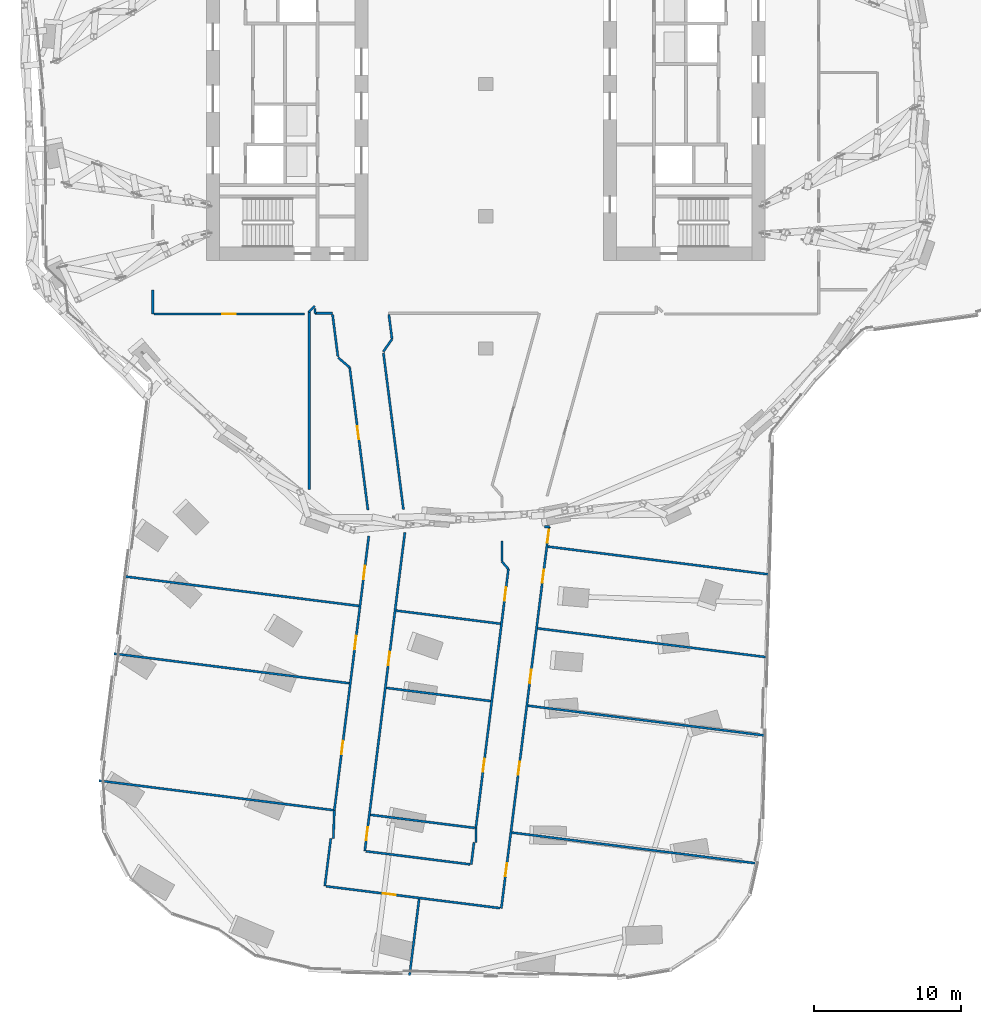
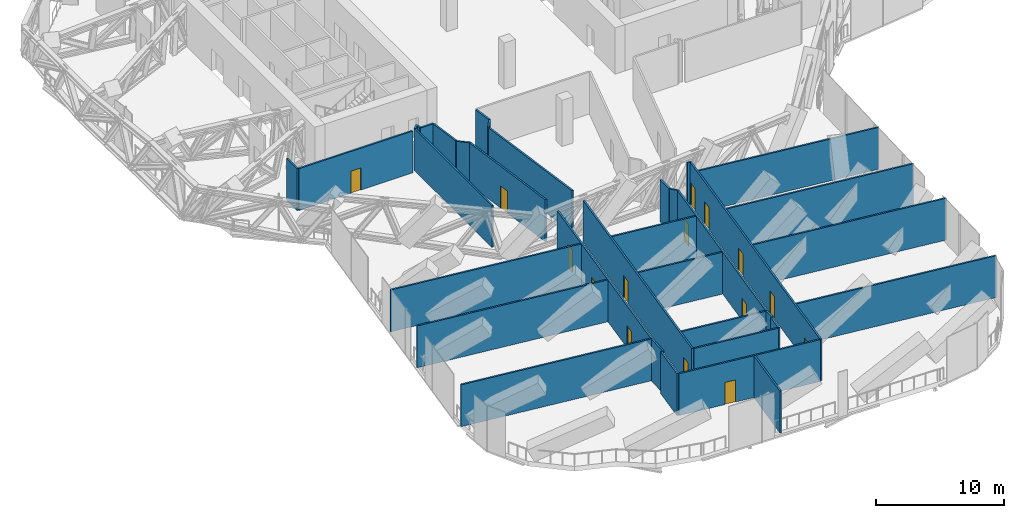
# One storey, part 18 of 27: 36 walls, 15 doors, 15 openings.
"""IFC4 building model written with IfcOpenShell, lengths in metres."""

import ifcopenshell
import ifcopenshell.guid

model = None  # the IFC model being written
_history = None  # IfcOwnerHistory: only IFC2X3 demands one
_inside = {}  # id of a spatial element -> (the spatial element, [elements in it])
_under = {}  # id of a project, library or spatial element -> (it, [spatial elements below it])
_declared = {}  # id of a project -> (the project, [libraries it declares])
_typed = {}  # id of a type object -> (the type object, [elements of that type])
_made_of = {}  # id of a material, layer set ... -> (it, [elements and type objects made of it])


def new_model(schema):
    """Start an empty IFC model of exactly this schema.

    Asked for "IFC4X3", IfcOpenShell would pick the latest addendum, in which some entities
    have other attributes; the version numbers below select the first issue.
    IFC2X3 requires an IfcOwnerHistory on every rooted entity: one is made here for all.
    """
    global model, _history
    if schema == "IFC4X3":
        model = ifcopenshell.file(schema_version=(4, 3, 0, 0))
    else:
        model = ifcopenshell.file(schema=schema)
    _inside.clear()
    _under.clear()
    _declared.clear()
    _typed.clear()
    _made_of.clear()
    _history = None
    if model.schema == "IFC2X3":
        org = make("IfcOrganization", Name="unknown")
        user = make(
            "IfcPersonAndOrganization",
            ThePerson=make("IfcPerson", FamilyName="unknown"),
            TheOrganization=org,
        )
        app = make(
            "IfcApplication",
            ApplicationDeveloper=org,
            Version="unknown",
            ApplicationFullName="unknown",
            ApplicationIdentifier="unknown",
        )
        _history = make(
            "IfcOwnerHistory",
            OwningUser=user,
            OwningApplication=app,
            ChangeAction="ADDED",
            CreationDate=0,
        )
    return model


def make(cls, **values):
    """One entity of the class cls with the attributes given. An attribute that is None is left unset."""
    return model.create_entity(
        cls, **{name: value for name, value in values.items() if value is not None}
    )


def rooted(cls, **values):
    """An entity with a GlobalId (a new one), such as an element, a storey or a relation."""
    return make(cls, GlobalId=ifcopenshell.guid.new(), OwnerHistory=_history, **values)


def si_unit(unit_type, name, prefix=None):
    """IfcSIUnit, for example si_unit("LENGTHUNIT", "METRE", prefix="MILLI")."""
    return make("IfcSIUnit", UnitType=unit_type, Prefix=prefix, Name=name)


def assignment(units):
    """IfcUnitAssignment: the units of a project."""
    return None if units is None else make("IfcUnitAssignment", Units=units)


def point(xyz):
    """IfcCartesianPoint."""
    return None if xyz is None else make("IfcCartesianPoint", Coordinates=xyz)


def direction(xyz):
    """IfcDirection."""
    return None if xyz is None else make("IfcDirection", DirectionRatios=xyz)


def frame(location, z_axis=None, x_axis=None):
    """IfcAxis2Placement3D, a coordinate frame: its origin and axes. An axis left out is left unset."""
    return make(
        "IfcAxis2Placement3D",
        Location=point(location),
        Axis=direction(z_axis),
        RefDirection=direction(x_axis),
    )


def frame_2d(location, x_axis=None):
    """IfcAxis2Placement2D, a coordinate frame in the plane: its origin and x axis."""
    return make(
        "IfcAxis2Placement2D", Location=point(location), RefDirection=direction(x_axis)
    )


def origin():
    """The frame at (0, 0, 0) with its axes left unset."""
    return frame((0.0, 0.0, 0.0))


def place(relative_to, where):
    """IfcLocalPlacement: puts the frame where relative to a parent placement (None: the world)."""
    return make(
        "IfcLocalPlacement", PlacementRelTo=relative_to, RelativePlacement=where
    )


def context(
    kind, dimensions, precision=None, world=None, true_north=None, identifier=None
):
    """IfcGeometricRepresentationContext, for example the 3D "Model" context."""
    return make(
        "IfcGeometricRepresentationContext",
        ContextIdentifier=identifier,
        ContextType=kind,
        CoordinateSpaceDimension=dimensions,
        Precision=precision,
        WorldCoordinateSystem=world,
        TrueNorth=true_north,
    )


def subcontext(parent, identifier, kind, view, scale=None):
    """IfcGeometricRepresentationSubContext, for example "Body" below "Model"."""
    return make(
        "IfcGeometricRepresentationSubContext",
        ContextIdentifier=identifier,
        ContextType=kind,
        ParentContext=parent,
        TargetScale=scale,
        TargetView=view,
    )


def project(units=None, contexts=None):
    """IfcProject with its units and contexts."""
    return rooted(
        "IfcProject",
        Name="project",
        RepresentationContexts=contexts,
        UnitsInContext=assignment(units),
    )


def spatial(cls, under=None, at=None, **own):
    """A site, building, storey or space (cls), placed at a placement, below another one or the project."""
    s = rooted(cls, ObjectPlacement=at, **own)
    if under is not None:
        _under.setdefault(under.id(), (under, []))[1].append(s)
    return s


def profile(cls, at=None, kind="AREA", **sizes):
    """A parametric profile (cls). Its sizes go by their IFC names, for example OverallWidth=200.0."""
    return make(cls, ProfileType=kind, Position=at, **sizes)


def rectangle(**sizes):
    """IfcRectangleProfileDef."""
    return profile("IfcRectangleProfileDef", **sizes)


def extrude(swept, where, along, depth):
    """IfcExtrudedAreaSolid: the profile swept, set in the frame where, extruded along a direction by depth."""
    return make(
        "IfcExtrudedAreaSolid",
        SweptArea=swept,
        Position=where,
        ExtrudedDirection=direction(along),
        Depth=depth,
    )


def shape(context_of_items, identifier, shape_type, items):
    """IfcShapeRepresentation: the items that make up one representation, for example the "Body"."""
    return make(
        "IfcShapeRepresentation",
        ContextOfItems=context_of_items,
        RepresentationIdentifier=identifier,
        RepresentationType=shape_type,
        Items=items,
    )


def material(Name=None, Category=None):
    """IfcMaterial."""
    return make("IfcMaterial", Name=Name, Category=Category)


def layer(
    of_material, thickness, ventilated=None, Name=None, Category=None, Priority=None
):
    """IfcMaterialLayer: one layer of a wall or slab, of a material (None: an air gap)."""
    return make(
        "IfcMaterialLayer",
        Material=of_material,
        LayerThickness=thickness,
        IsVentilated=ventilated,
        Name=Name,
        Category=Category,
        Priority=Priority,
    )


def layer_set(layers, Name=None):
    """IfcMaterialLayerSet."""
    return make("IfcMaterialLayerSet", MaterialLayers=layers, LayerSetName=Name)


def made_of(thing, what):
    """Note that an element or type object is made of a material, layer set ...; save() writes the relation."""
    if what is not None:
        _made_of.setdefault(what.id(), (what, []))[1].append(thing)
    return thing


def type_object(cls, material=None, **own):
    """A type object (cls), such as IfcWallType, which elements share."""
    return made_of(rooted(cls, **own), material)


def element(
    cls,
    number,
    at=None,
    inside=None,
    cuts=None,
    type_object=None,
    material=None,
    context=None,
    identifier="Body",
    shape_type=None,
    held_by="IfcProductDefinitionShape",
    body=None,
    shapes=None,
    **own,
):
    """One element of the class cls, such as IfcWall. Its Tag is "e" and its number.

    at: its placement. inside: the storey or other place that contains it. cuts: it is an
    opening in that element (IfcRelVoidsElement). A single representation is given by context,
    identifier, shape_type and body (its items); several are given by shapes. held_by: the class
    of the entity that holds the representations. save() writes the other relations.
    """
    e = rooted(cls, Tag="e%d" % number, ObjectPlacement=at, **own)
    if body is not None:
        shapes = [shape(context, identifier, shape_type, body)]
    if shapes is not None:
        e.Representation = make(held_by, Representations=shapes)
    if inside is not None:
        _inside.setdefault(inside.id(), (inside, []))[1].append(e)
    if cuts is not None:
        rooted(
            "IfcRelVoidsElement", RelatingBuildingElement=cuts, RelatedOpeningElement=e
        )
    if type_object is not None:
        _typed.setdefault(type_object.id(), (type_object, []))[1].append(e)
    return made_of(e, material)


def fill(opening, filler):
    """IfcRelFillsElement: the door or window that sits in an opening."""
    return rooted(
        "IfcRelFillsElement",
        RelatingOpeningElement=opening,
        RelatedBuildingElement=filler,
    )


def aggregate(whole, parts):
    """IfcRelAggregates: a whole, such as a stair, and the parts it consists of."""
    return rooted("IfcRelAggregates", RelatingObject=whole, RelatedObjects=parts)


def save(model, path):
    """Write the relations noted so far, then the file.

    IfcRelAggregates (storeys below a building ...), IfcRelContainedInSpatialStructure (elements
    in a storey), IfcRelDefinesByType, IfcRelAssociatesMaterial and IfcRelDeclares: one each for
    every whole, place, type object, material and project.
    """
    for whole, parts in _under.values():
        aggregate(whole, parts)
    for where, things in _inside.values():
        rooted(
            "IfcRelContainedInSpatialStructure",
            RelatedElements=things,
            RelatingStructure=where,
        )
    for kind, things in _typed.values():
        rooted("IfcRelDefinesByType", RelatedObjects=things, RelatingType=kind)
    for what, things in _made_of.values():
        rooted("IfcRelAssociatesMaterial", RelatedObjects=things, RelatingMaterial=what)
    for by, libraries in _declared.values():
        rooted("IfcRelDeclares", RelatingContext=by, RelatedDefinitions=libraries)
    model.write(path)


model = new_model("IFC4")

# Units and contexts
model_context = context("Model", 3, precision=1e-05, world=origin(), true_north=direction((0.0, 1.0)))
body_context = subcontext(model_context, "Body", "Model", "MODEL_VIEW")
ifc_project = project(units=[si_unit("LENGTHUNIT", "METRE"), si_unit("AREAUNIT", "SQUARE_METRE"), si_unit("VOLUMEUNIT", "CUBIC_METRE"), si_unit("PLANEANGLEUNIT", "RADIAN"), si_unit("MASSUNIT", "GRAM", prefix="KILO")], contexts=[model_context])

# Site, building, storey
site_placement = place(None, origin())
site = spatial("IfcSite", under=ifc_project, at=site_placement, CompositionType="ELEMENT")
building_placement = place(site_placement, origin())
building = spatial("IfcBuilding", under=site, at=building_placement, Name="Orlundy Tower", CompositionType="ELEMENT")
storey_placement = place(building_placement, frame((0.0, 0.0, 206.10009765625)))
storey = spatial("IfcBuildingStorey", under=building, at=storey_placement, Name="L54", CompositionType="ELEMENT", Elevation=206.10009765625)

# Walls
ifc_material_1 = material(Name="Blockwork shaft wall", Category="masonry")
ifc_layer = layer(ifc_material_1, 0.14990234375)
ifc_layer_set = layer_set([ifc_layer], Name="Floor shaft wall 150")
wall_type = type_object("IfcWallType", Name="Floor shaft wall 150", PredefinedType="PARTITIONING", material=ifc_layer_set)
wall_1_placement = place(storey_placement, frame((-11.60107421875, -15.27294921875, 0.0), z_axis=(0.0, 0.0, 1.0), x_axis=(0.002985061327, -0.999995544695, 0.0)))
element("IfcWall", 1, at=wall_1_placement, inside=storey, type_object=wall_type, Name="wall-int-L54-001", PredefinedType="PARTITIONING", context=body_context, shape_type="SweptSolid", body=[
    extrude(rectangle(XDim=0.3271484375, YDim=0.14990234375, at=frame_2d((0.16357421875, 0.0))), origin(), (0.0, 0.0, 1.0), 3.97998046875),
])
wall_2_placement = place(storey_placement, frame((-10.4169921875, -15.674072265625, 0.0), z_axis=(0.0, 0.0, 1.0), x_axis=(0.126392298822, -0.991980335893, 0.0)))
element("IfcWall", 2, at=wall_2_placement, inside=storey, type_object=wall_type, Name="wall-int-L54-002", PredefinedType="PARTITIONING", context=body_context, shape_type="SweptSolid", body=[
    extrude(rectangle(XDim=2.880126953125, YDim=0.14990234375, at=frame_2d((1.43994140625, 0.0))), origin(), (0.0, 0.0, 1.0), 3.97998046875),
])

# Wall, opening, door
wall_3_placement = place(storey_placement, frame((-8.010986328125, -28.969970703125, 0.0), z_axis=(0.0, 0.0, 1.0), x_axis=(-0.126883648169, 0.991917607378, 0.0)))
wall_3 = element("IfcWall", 3, at=wall_3_placement, inside=storey, type_object=wall_type, Name="wall-int-L54-003", PredefinedType="PARTITIONING", context=body_context, shape_type="SweptSolid", body=[
    extrude(rectangle(XDim=9.764892578125, YDim=0.14990234375, at=frame_2d((4.88232421875, 0.0))), origin(), (0.0, 0.0, 1.0), 3.97998046875),
])
opening_1_placement = place(wall_3_placement, frame((4.85009765625, 0.0, 0.0)))
opening_1 = element("IfcOpeningElement", 4, at=opening_1_placement, cuts=wall_3, Name="Opening 41114", PredefinedType="OPENING", context=body_context, shape_type="SweptSolid", body=[
    extrude(rectangle(XDim=0.89990234375, YDim=2.10009765625, at=frame_2d((0.449951171875, 1.050048828125))), frame((0.0, 0.0849609375, 0.0), z_axis=(0.0, -1.0, 0.0), x_axis=(1.0, 0.0, 0.0)), (0.0, 0.0, 1.0), 0.169921875),
])
ifc_material_2 = material(Name="Timber door leaf", Category="wood")
door_type = type_object("IfcDoorType", Name="Floor door single 900 FD60", OperationType="NOTDEFINED", PredefinedType="DOOR", material=ifc_material_2)
door_1_placement = place(opening_1_placement, origin())
door_1 = element("IfcDoor", 5, at=door_1_placement, inside=storey, type_object=door_type, Name="Door 41114", OperationType="SINGLE_SWING_RIGHT", OverallHeight=2.10009765625, OverallWidth=0.89990234375, PredefinedType="DOOR", context=body_context, shape_type="SweptSolid", body=[
    extrude(rectangle(XDim=0.89990234375, YDim=2.10009765625, at=frame_2d((0.449951171875, 1.050048828125))), frame((0.0, 0.02490234375, 0.0), z_axis=(0.0, -1.0, 0.0), x_axis=(1.0, 0.0, 0.0)), (0.0, 0.0, 1.0), 0.050048828125),
])
fill(opening_1, door_1)

# Walls
wall_4_placement = place(storey_placement, frame((-6.95703125, -18.285888671875, 0.0), z_axis=(0.0, 0.0, 1.0), x_axis=(0.126800802757, -0.991928201242, 0.0)))
element("IfcWall", 6, at=wall_4_placement, inside=storey, type_object=wall_type, Name="wall-int-L54-004", PredefinedType="PARTITIONING", context=body_context, shape_type="SweptSolid", body=[
    extrude(rectangle(XDim=10.74169921875, YDim=0.14990234375, at=frame_2d((5.370849609375, 0.0))), origin(), (0.0, 0.0, 1.0), 3.97998046875),
])
wall_5_placement = place(storey_placement, frame((-6.5859375, -15.674072265625, 0.0), z_axis=(0.0, 0.0, 1.0), x_axis=(0.126782694837, -0.991930515858, 0.0)))
element("IfcWall", 7, at=wall_5_placement, inside=storey, type_object=wall_type, Name="wall-int-L54-005", PredefinedType="PARTITIONING", context=body_context, shape_type="SweptSolid", body=[
    extrude(rectangle(XDim=1.694580078125, YDim=0.14990234375, at=frame_2d((0.84716796875, 0.0))), origin(), (0.0, 0.0, 1.0), 3.97998046875),
])

# Wall, opening, door
wall_6_placement = place(storey_placement, frame((0.989013671875, -56.06005859375, 0.0), z_axis=(0.0, 0.0, 1.0), x_axis=(-0.992206680217, 0.124602984447, 0.0)))
wall_6 = element("IfcWall", 8, at=wall_6_placement, inside=storey, type_object=wall_type, Name="wall-int-L54-009", PredefinedType="PARTITIONING", context=body_context, shape_type="SweptSolid", body=[
    extrude(rectangle(XDim=11.949951171875, YDim=0.14990234375, at=frame_2d((5.97509765625, 0.0))), origin(), (0.0, 0.0, 1.0), 3.97998046875),
])
opening_2_placement = place(wall_6_placement, frame((7.14990234375, 0.0, 0.0)))
opening_2 = element("IfcOpeningElement", 9, at=opening_2_placement, cuts=wall_6, Name="Opening 41108", PredefinedType="OPENING", context=body_context, shape_type="SweptSolid", body=[
    extrude(rectangle(XDim=0.89990234375, YDim=2.10009765625, at=frame_2d((0.449951171875, 1.050048828125))), frame((0.0, 0.0849609375, 0.0), z_axis=(0.0, -1.0, 0.0), x_axis=(1.0, 0.0, 0.0)), (0.0, 0.0, 1.0), 0.169921875),
])
door_2_placement = place(opening_2_placement, origin())
door_2 = element("IfcDoor", 10, at=door_2_placement, inside=storey, type_object=door_type, Name="Door 41108", OperationType="SINGLE_SWING_RIGHT", OverallHeight=2.10009765625, OverallWidth=0.89990234375, PredefinedType="DOOR", context=body_context, shape_type="SweptSolid", body=[
    extrude(rectangle(XDim=0.89990234375, YDim=2.10009765625, at=frame_2d((0.449951171875, 1.050048828125))), frame((0.0, 0.02490234375, 0.0), z_axis=(0.0, -1.0, 0.0), x_axis=(1.0, 0.0, 0.0)), (0.0, 0.0, 1.0), 0.050048828125),
])
fill(opening_2, door_2)

# Walls
wall_7_placement = place(storey_placement, frame((-8.14990234375, -52.18994140625, 0.0), z_axis=(0.0, 0.0, 1.0), x_axis=(0.992168754775, -0.124904611796, 0.0)))
element("IfcWall", 11, at=wall_7_placement, inside=storey, type_object=wall_type, Name="wall-int-L54-010", PredefinedType="PARTITIONING", context=body_context, shape_type="SweptSolid", body=[
    extrude(rectangle(XDim=7.14990234375, YDim=0.14990234375, at=frame_2d((3.574951171875, 0.0))), origin(), (0.0, 0.0, 1.0), 3.97998046875),
])
wall_8_placement = place(storey_placement, frame((-26.31298828125, -47.386962890625, 0.0), z_axis=(0.0, 0.0, 1.0), x_axis=(0.992178228876, -0.124829332068, 0.0)))
element("IfcWall", 12, at=wall_8_placement, inside=storey, type_object=wall_type, Name="wall-int-L54-011", PredefinedType="PARTITIONING", context=body_context, shape_type="SweptSolid", body=[
    extrude(rectangle(XDim=16.07080078125, YDim=0.14990234375, at=frame_2d((8.035400390625, 0.0))), origin(), (0.0, 0.0, 1.0), 3.97998046875),
])
wall_9_placement = place(storey_placement, frame((-7.837890625, -49.7099609375, 0.0), z_axis=(0.0, 0.0, 1.0), x_axis=(0.992173014732, -0.124870768549, 0.0)))
element("IfcWall", 13, at=wall_9_placement, inside=storey, type_object=wall_type, Name="wall-int-L54-012", PredefinedType="PARTITIONING", context=body_context, shape_type="SweptSolid", body=[
    extrude(rectangle(XDim=7.15185546875, YDim=0.14990234375, at=frame_2d((3.575927734375, 0.0))), origin(), (0.0, 0.0, 1.0), 3.97998046875),
])
wall_10_placement = place(storey_placement, frame((1.787109375, -50.919921875, 0.0), z_axis=(0.0, 0.0, 1.0), x_axis=(0.992180531957, -0.12481102518, 0.0)))
element("IfcWall", 14, at=wall_10_placement, inside=storey, type_object=wall_type, Name="wall-int-L54-013", PredefinedType="PARTITIONING", context=body_context, shape_type="SweptSolid", body=[
    extrude(rectangle(XDim=16.914306640625, YDim=0.14990234375, at=frame_2d((8.45703125, 0.0))), origin(), (0.0, 0.0, 1.0), 3.97998046875),
])
wall_11_placement = place(storey_placement, frame((-25.281982421875, -38.7490234375, 0.0), z_axis=(0.0, 0.0, 1.0), x_axis=(0.99218536192, -0.124772623567, 0.0)))
element("IfcWall", 15, at=wall_11_placement, inside=storey, type_object=wall_type, Name="wall-int-L54-014", PredefinedType="PARTITIONING", context=body_context, shape_type="SweptSolid", body=[
    extrude(rectangle(XDim=16.125, YDim=0.14990234375, at=frame_2d((8.0625, 0.0))), origin(), (0.0, 0.0, 1.0), 3.97998046875),
])
wall_12_placement = place(storey_placement, frame((-6.751953125, -41.077880859375, 0.0), z_axis=(0.0, 0.0, 1.0), x_axis=(0.992168754775, -0.124904611796, 0.0)))
element("IfcWall", 16, at=wall_12_placement, inside=storey, type_object=wall_type, Name="wall-int-L54-015", PredefinedType="PARTITIONING", context=body_context, shape_type="SweptSolid", body=[
    extrude(rectangle(XDim=7.14990234375, YDim=0.14990234375, at=frame_2d((3.574951171875, 0.0))), origin(), (0.0, 0.0, 1.0), 3.97998046875),
])
wall_13_placement = place(storey_placement, frame((2.8720703125, -42.2880859375, 0.0), z_axis=(0.0, 0.0, 1.0), x_axis=(0.992188726877, -0.124745862686, 0.0)))
element("IfcWall", 17, at=wall_13_placement, inside=storey, type_object=wall_type, Name="wall-int-L54-016", PredefinedType="PARTITIONING", context=body_context, shape_type="SweptSolid", body=[
    extrude(rectangle(XDim=16.3515625, YDim=0.14990234375, at=frame_2d((8.17578125, 0.0))), origin(), (0.0, 0.0, 1.0), 3.97998046875),
])
wall_14_placement = place(storey_placement, frame((-24.6201171875, -33.489990234375, 0.0), z_axis=(0.0, 0.0, 1.0), x_axis=(0.992184418995, -0.124780121428, 0.0)))
element("IfcWall", 18, at=wall_14_placement, inside=storey, type_object=wall_type, Name="wall-int-L54-017", PredefinedType="PARTITIONING", context=body_context, shape_type="SweptSolid", body=[
    extrude(rectangle(XDim=16.1240234375, YDim=0.14990234375, at=frame_2d((8.06201171875, 0.0))), origin(), (0.0, 0.0, 1.0), 3.97998046875),
])
wall_15_placement = place(storey_placement, frame((-6.091064453125, -35.820068359375, 0.0), z_axis=(0.0, 0.0, 1.0), x_axis=(0.992189898708, -0.124736541969, 0.0)))
element("IfcWall", 19, at=wall_15_placement, inside=storey, type_object=wall_type, Name="wall-int-L54-018", PredefinedType="PARTITIONING", context=body_context, shape_type="SweptSolid", body=[
    extrude(rectangle(XDim=7.14990234375, YDim=0.14990234375, at=frame_2d((3.574951171875, 0.0))), origin(), (0.0, 0.0, 1.0), 3.97998046875),
])
wall_16_placement = place(storey_placement, frame((3.532958984375, -37.030029296875, 0.0), z_axis=(0.0, 0.0, 1.0), x_axis=(0.992191245848, -0.124725825964, 0.0)))
element("IfcWall", 20, at=wall_16_placement, inside=storey, type_object=wall_type, Name="wall-int-L54-019", PredefinedType="PARTITIONING", context=body_context, shape_type="SweptSolid", body=[
    extrude(rectangle(XDim=15.82568359375, YDim=0.14990234375, at=frame_2d((7.912841796875, 0.0))), origin(), (0.0, 0.0, 1.0), 3.97998046875),
])
wall_17_placement = place(storey_placement, frame((4.23193359375, -31.467041015625, 0.0), z_axis=(0.0, 0.0, 1.0), x_axis=(0.992187839052, -0.124752923961, 0.0)))
element("IfcWall", 21, at=wall_17_placement, inside=storey, type_object=wall_type, Name="wall-int-L54-020", PredefinedType="PARTITIONING", context=body_context, shape_type="SweptSolid", body=[
    extrude(rectangle(XDim=15.2705078125, YDim=0.14990234375, at=frame_2d((7.63525390625, 0.0))), origin(), (0.0, 0.0, 1.0), 3.97998046875),
])
wall_18_placement = place(storey_placement, frame((1.10498046875, -32.488037109375, 0.0), z_axis=(0.0, 0.0, 1.0), x_axis=(0.657060992412, -0.753837417651, 0.0)))
element("IfcWall", 22, at=wall_18_placement, inside=storey, type_object=wall_type, Name="wall-int-L54-021", PredefinedType="PARTITIONING", context=body_context, shape_type="SweptSolid", body=[
    extrude(rectangle(XDim=0.671142578125, YDim=0.14990234375, at=frame_2d((0.33544921875, 0.0))), origin(), (0.0, 0.0, 1.0), 3.97998046875),
])
wall_19_placement = place(storey_placement, frame((4.0, -30.118896484375, 0.0), z_axis=(0.0, 0.0, 1.0), x_axis=(0.999918931432, -0.012733050063, 0.0)))
element("IfcWall", 23, at=wall_19_placement, inside=storey, type_object=wall_type, Name="wall-int-L54-022", PredefinedType="PARTITIONING", context=body_context, shape_type="SweptSolid", body=[
    extrude(rectangle(XDim=0.325927734375, YDim=0.14990234375, at=frame_2d((0.1630859375, 0.0))), origin(), (0.0, 0.0, 1.0), 3.97998046875),
])

# Wall, opening, door
wall_20_placement = place(storey_placement, frame((-12.341064453125, -15.65087890625, 0.0), z_axis=(0.0, 0.0, 1.0), x_axis=(-1.0, 0.0, 0.0)))
wall_20 = element("IfcWall", 24, at=wall_20_placement, inside=storey, type_object=wall_type, Name="wall-int-L54-023", PredefinedType="PARTITIONING", context=body_context, shape_type="SweptSolid", body=[
    extrude(rectangle(XDim=10.23388671875, YDim=0.14990234375, at=frame_2d((5.116943359375, 0.0))), origin(), (0.0, 0.0, 1.0), 3.97998046875),
])
opening_3_placement = place(wall_20_placement, frame((4.6689453125, 0.0, 0.0)))
opening_3 = element("IfcOpeningElement", 25, at=opening_3_placement, cuts=wall_20, Name="Opening 41113", PredefinedType="OPENING", context=body_context, shape_type="SweptSolid", body=[
    extrude(rectangle(XDim=0.89990234375, YDim=2.10009765625, at=frame_2d((0.449951171875, 1.050048828125))), frame((0.0, 0.0849609375, 0.0), z_axis=(0.0, -1.0, 0.0), x_axis=(1.0, 0.0, 0.0)), (0.0, 0.0, 1.0), 0.169921875),
])
door_3_placement = place(opening_3_placement, origin())
door_3 = element("IfcDoor", 26, at=door_3_placement, inside=storey, type_object=door_type, Name="Door 41113", OperationType="SINGLE_SWING_RIGHT", OverallHeight=2.10009765625, OverallWidth=0.89990234375, PredefinedType="DOOR", context=body_context, shape_type="SweptSolid", body=[
    extrude(rectangle(XDim=0.89990234375, YDim=2.10009765625, at=frame_2d((0.449951171875, 1.050048828125))), frame((0.0, 0.02490234375, 0.0), z_axis=(0.0, -1.0, 0.0), x_axis=(1.0, 0.0, 0.0)), (0.0, 0.0, 1.0), 0.050048828125),
])
fill(opening_3, door_3)

# Walls
wall_21_placement = place(storey_placement, frame((-11.60009765625, -15.60009765625, 0.0), z_axis=(0.0, 0.0, 1.0), x_axis=(1.0, 0.0, 0.0)))
element("IfcWall", 27, at=wall_21_placement, inside=storey, type_object=wall_type, Name="wall-int-L54-025", PredefinedType="PARTITIONING", context=body_context, shape_type="SweptSolid", body=[
    extrude(rectangle(XDim=1.173095703125, YDim=0.14990234375, at=frame_2d((0.58642578125, 0.0))), origin(), (0.0, 0.0, 1.0), 3.97998046875),
])
wall_22_placement = place(storey_placement, frame((-10.0419921875, -18.60498046875, 0.0), z_axis=(0.0, 0.0, 1.0), x_axis=(0.759207039974, -0.65084919179, 0.0)))
element("IfcWall", 28, at=wall_22_placement, inside=storey, type_object=wall_type, Name="wall-int-L54-034", PredefinedType="PARTITIONING", context=body_context, shape_type="SweptSolid", body=[
    extrude(rectangle(XDim=1.043212890625, YDim=0.14990234375, at=frame_2d((0.521484375, 0.0))), origin(), (0.0, 0.0, 1.0), 3.97998046875),
])
wall_23_placement = place(storey_placement, frame((-6.967041015625, -18.2119140625, 0.0), z_axis=(0.0, 0.0, 1.0), x_axis=(0.570947979782, 0.820986238851, 0.0)))
element("IfcWall", 29, at=wall_23_placement, inside=storey, type_object=wall_type, Name="wall-int-L54-035", PredefinedType="PARTITIONING", context=body_context, shape_type="SweptSolid", body=[
    extrude(rectangle(XDim=1.043701171875, YDim=0.14990234375, at=frame_2d((0.52197265625, 0.0))), origin(), (0.0, 0.0, 1.0), 3.97998046875),
])
wall_24_placement = place(storey_placement, frame((-12.02490234375, -15.5029296875, 0.0), z_axis=(0.0, 0.0, 1.0), x_axis=(0.707106781187, 0.707106781187, 0.0)))
element("IfcWall", 30, at=wall_24_placement, inside=storey, type_object=wall_type, Name="wall-int-L54-036", PredefinedType="PARTITIONING", context=body_context, shape_type="SweptSolid", body=[
    extrude(rectangle(XDim=0.569580078125, YDim=0.14990234375, at=frame_2d((0.28466796875, 0.0))), origin(), (0.0, 0.0, 1.0), 3.97998046875),
])
wall_25_placement = place(storey_placement, frame((-10.943115234375, -54.56103515625, 0.0), z_axis=(0.0, 0.0, 1.0), x_axis=(0.124928843821, 0.992165703893, 0.0)))
element("IfcWall", 31, at=wall_25_placement, inside=storey, type_object=wall_type, Name="wall-int-L54-040", PredefinedType="PARTITIONING", context=body_context, shape_type="SweptSolid", body=[
    extrude(rectangle(XDim=3.259765625, YDim=0.14990234375, at=frame_2d((1.6298828125, 0.0))), origin(), (0.0, 0.0, 1.0), 3.97998046875),
])

# Wall, openings, doors
wall_26_placement = place(storey_placement, frame((4.327880859375, -30.123046875, 0.0), z_axis=(0.0, 0.0, 1.0), x_axis=(-0.124803349917, -0.992181497434, 0.0)))
wall_26 = element("IfcWall", 32, at=wall_26_placement, inside=storey, type_object=wall_type, Name="wall-int-L54-041", PredefinedType="PARTITIONING", context=body_context, shape_type="SweptSolid", body=[
    extrude(rectangle(XDim=26.152587890625, YDim=0.14990234375, at=frame_2d((13.076171875, 0.0))), origin(), (0.0, 0.0, 1.0), 3.97998046875),
])
opening_4_placement = place(wall_26_placement, frame((2.946044921875, 0.0, 0.0)))
opening_4 = element("IfcOpeningElement", 33, at=opening_4_placement, cuts=wall_26, Name="Opening 41102", PredefinedType="OPENING", context=body_context, shape_type="SweptSolid", body=[
    extrude(rectangle(XDim=0.89990234375, YDim=2.10009765625, at=frame_2d((0.449951171875, 1.050048828125))), frame((0.0, 0.0849609375, 0.0), z_axis=(0.0, -1.0, 0.0), x_axis=(1.0, 0.0, 0.0)), (0.0, 0.0, 1.0), 0.169921875),
])
opening_5_placement = place(wall_26_placement, frame((9.802734375, 0.0, 0.0)))
opening_5 = element("IfcOpeningElement", 34, at=opening_5_placement, cuts=wall_26, Name="Opening 41103", PredefinedType="OPENING", context=body_context, shape_type="SweptSolid", body=[
    extrude(rectangle(XDim=0.89990234375, YDim=2.10009765625, at=frame_2d((0.449951171875, 1.050048828125))), frame((0.0, 0.0849609375, 0.0), z_axis=(0.0, -1.0, 0.0), x_axis=(1.0, 0.0, 0.0)), (0.0, 0.0, 1.0), 0.169921875),
])
opening_6_placement = place(wall_26_placement, frame((16.102294921875, 0.0, 0.0)))
opening_6 = element("IfcOpeningElement", 35, at=opening_6_placement, cuts=wall_26, Name="Opening 41104", PredefinedType="OPENING", context=body_context, shape_type="SweptSolid", body=[
    extrude(rectangle(XDim=0.89990234375, YDim=2.10009765625, at=frame_2d((0.449951171875, 1.050048828125))), frame((0.0, 0.0849609375, 0.0), z_axis=(0.0, -1.0, 0.0), x_axis=(1.0, 0.0, 0.0)), (0.0, 0.0, 1.0), 0.169921875),
])
opening_7_placement = place(wall_26_placement, frame((23.052001953125, 0.0, 0.0)))
opening_7 = element("IfcOpeningElement", 36, at=opening_7_placement, cuts=wall_26, Name="Opening 41107", PredefinedType="OPENING", context=body_context, shape_type="SweptSolid", body=[
    extrude(rectangle(XDim=0.89990234375, YDim=2.10009765625, at=frame_2d((0.449951171875, 1.050048828125))), frame((0.0, 0.0849609375, 0.0), z_axis=(0.0, -1.0, 0.0), x_axis=(1.0, 0.0, 0.0)), (0.0, 0.0, 1.0), 0.169921875),
])
opening_8_placement = place(wall_26_placement, frame((0.200439453125, 0.0, 0.0)))
opening_8 = element("IfcOpeningElement", 37, at=opening_8_placement, cuts=wall_26, Name="Opening 41116", PredefinedType="OPENING", context=body_context, shape_type="SweptSolid", body=[
    extrude(rectangle(XDim=0.89990234375, YDim=2.10009765625, at=frame_2d((0.449951171875, 1.050048828125))), frame((0.0, 0.0849609375, 0.0), z_axis=(0.0, -1.0, 0.0), x_axis=(1.0, 0.0, 0.0)), (0.0, 0.0, 1.0), 0.169921875),
])
door_4_placement = place(opening_4_placement, origin())
door_4 = element("IfcDoor", 38, at=door_4_placement, inside=storey, type_object=door_type, Name="Door 41102", OperationType="SINGLE_SWING_LEFT", OverallHeight=2.10009765625, OverallWidth=0.89990234375, PredefinedType="DOOR", context=body_context, shape_type="SweptSolid", body=[
    extrude(rectangle(XDim=0.89990234375, YDim=2.10009765625, at=frame_2d((0.449951171875, 1.050048828125))), frame((0.0, 0.02490234375, 0.0), z_axis=(0.0, -1.0, 0.0), x_axis=(1.0, 0.0, 0.0)), (0.0, 0.0, 1.0), 0.050048828125),
])
fill(opening_4, door_4)
door_5_placement = place(opening_5_placement, origin())
door_5 = element("IfcDoor", 39, at=door_5_placement, inside=storey, type_object=door_type, Name="Door 41103", OperationType="SINGLE_SWING_LEFT", OverallHeight=2.10009765625, OverallWidth=0.89990234375, PredefinedType="DOOR", context=body_context, shape_type="SweptSolid", body=[
    extrude(rectangle(XDim=0.89990234375, YDim=2.10009765625, at=frame_2d((0.449951171875, 1.050048828125))), frame((0.0, 0.02490234375, 0.0), z_axis=(0.0, -1.0, 0.0), x_axis=(1.0, 0.0, 0.0)), (0.0, 0.0, 1.0), 0.050048828125),
])
fill(opening_5, door_5)
door_6_placement = place(opening_6_placement, origin())
door_6 = element("IfcDoor", 40, at=door_6_placement, inside=storey, type_object=door_type, Name="Door 41104", OperationType="SINGLE_SWING_RIGHT", OverallHeight=2.10009765625, OverallWidth=0.89990234375, PredefinedType="DOOR", context=body_context, shape_type="SweptSolid", body=[
    extrude(rectangle(XDim=0.89990234375, YDim=2.10009765625, at=frame_2d((0.449951171875, 1.050048828125))), frame((0.0, 0.02490234375, 0.0), z_axis=(0.0, -1.0, 0.0), x_axis=(1.0, 0.0, 0.0)), (0.0, 0.0, 1.0), 0.050048828125),
])
fill(opening_6, door_6)
door_7_placement = place(opening_7_placement, origin())
door_7 = element("IfcDoor", 41, at=door_7_placement, inside=storey, type_object=door_type, Name="Door 41107", OperationType="SINGLE_SWING_RIGHT", OverallHeight=2.10009765625, OverallWidth=0.89990234375, PredefinedType="DOOR", context=body_context, shape_type="SweptSolid", body=[
    extrude(rectangle(XDim=0.89990234375, YDim=2.10009765625, at=frame_2d((0.449951171875, 1.050048828125))), frame((0.0, 0.02490234375, 0.0), z_axis=(0.0, -1.0, 0.0), x_axis=(1.0, 0.0, 0.0)), (0.0, 0.0, 1.0), 0.050048828125),
])
fill(opening_7, door_7)
door_8_placement = place(opening_8_placement, origin())
door_8 = element("IfcDoor", 42, at=door_8_placement, inside=storey, type_object=door_type, Name="Door 41116", OperationType="SINGLE_SWING_LEFT", OverallHeight=2.10009765625, OverallWidth=0.89990234375, PredefinedType="DOOR", context=body_context, shape_type="SweptSolid", body=[
    extrude(rectangle(XDim=0.89990234375, YDim=2.10009765625, at=frame_2d((0.449951171875, 1.050048828125))), frame((0.0, 0.02490234375, 0.0), z_axis=(0.0, -1.0, 0.0), x_axis=(1.0, 0.0, 0.0)), (0.0, 0.0, 1.0), 0.050048828125),
])
fill(opening_8, door_8)

# Wall
wall_27_placement = place(storey_placement, frame((-0.98193359375, -53.092041015625, 0.0), z_axis=(0.0, 0.0, 1.0), x_axis=(0.12472529348, 0.992191312785, 0.0)))
element("IfcWall", 43, at=wall_27_placement, inside=storey, type_object=wall_type, Name="wall-int-L54-042", PredefinedType="PARTITIONING", context=body_context, shape_type="SweptSolid", body=[
    extrude(rectangle(XDim=1.52294921875, YDim=0.14990234375, at=frame_2d((0.761474609375, 0.0))), origin(), (0.0, 0.0, 1.0), 3.97998046875),
])

# Wall, openings, doors
wall_28_placement = place(storey_placement, frame((-0.66796875, -50.60009765625, 0.0), z_axis=(0.0, 0.0, 1.0), x_axis=(0.124761144716, 0.99218680538, 0.0)))
wall_28 = element("IfcWall", 44, at=wall_28_placement, inside=storey, type_object=wall_type, Name="wall-int-L54-043", PredefinedType="PARTITIONING", context=body_context, shape_type="SweptSolid", body=[
    extrude(rectangle(XDim=17.744873046875, YDim=0.14990234375, at=frame_2d((8.87255859375, 0.0))), origin(), (0.0, 0.0, 1.0), 3.97998046875),
])
opening_9_placement = place(wall_28_placement, frame((15.58837890625, 0.0, 0.0)))
opening_9 = element("IfcOpeningElement", 45, at=opening_9_placement, cuts=wall_28, Name="Opening 41105", PredefinedType="OPENING", context=body_context, shape_type="SweptSolid", body=[
    extrude(rectangle(XDim=0.89990234375, YDim=2.10009765625, at=frame_2d((0.449951171875, 1.050048828125))), frame((0.0, 0.0849609375, 0.0), z_axis=(0.0, -1.0, 0.0), x_axis=(1.0, 0.0, 0.0)), (0.0, 0.0, 1.0), 0.169921875),
])
opening_10_placement = place(wall_28_placement, frame((3.85009765625, 0.0, 0.0)))
opening_10 = element("IfcOpeningElement", 46, at=opening_10_placement, cuts=wall_28, Name="Opening 41106", PredefinedType="OPENING", context=body_context, shape_type="SweptSolid", body=[
    extrude(rectangle(XDim=0.89990234375, YDim=2.10009765625, at=frame_2d((0.449951171875, 1.050048828125))), frame((0.0, 0.0849609375, 0.0), z_axis=(0.0, -1.0, 0.0), x_axis=(1.0, 0.0, 0.0)), (0.0, 0.0, 1.0), 0.169921875),
])
door_9_placement = place(opening_9_placement, origin())
door_9 = element("IfcDoor", 47, at=door_9_placement, inside=storey, type_object=door_type, Name="Door 41105", OperationType="SINGLE_SWING_RIGHT", OverallHeight=2.10009765625, OverallWidth=0.89990234375, PredefinedType="DOOR", context=body_context, shape_type="SweptSolid", body=[
    extrude(rectangle(XDim=0.89990234375, YDim=2.10009765625, at=frame_2d((0.449951171875, 1.050048828125))), frame((0.0, 0.02490234375, 0.0), z_axis=(0.0, -1.0, 0.0), x_axis=(1.0, 0.0, 0.0)), (0.0, 0.0, 1.0), 0.050048828125),
])
fill(opening_9, door_9)
door_10_placement = place(opening_10_placement, origin())
door_10 = element("IfcDoor", 48, at=door_10_placement, inside=storey, type_object=door_type, Name="Door 41106", OperationType="SINGLE_SWING_LEFT", OverallHeight=2.10009765625, OverallWidth=0.89990234375, PredefinedType="DOOR", context=body_context, shape_type="SweptSolid", body=[
    extrude(rectangle(XDim=0.89990234375, YDim=2.10009765625, at=frame_2d((0.449951171875, 1.050048828125))), frame((0.0, 0.02490234375, 0.0), z_axis=(0.0, -1.0, 0.0), x_axis=(1.0, 0.0, 0.0)), (0.0, 0.0, 1.0), 0.050048828125),
])
fill(opening_10, door_10)

# Wall
wall_29_placement = place(storey_placement, frame((-5.179931640625, -60.635009765625, 0.0), z_axis=(0.0, 0.0, 1.0), x_axis=(0.124781334236, 0.992184266468, 0.0)))
element("IfcWall", 49, at=wall_29_placement, inside=storey, type_object=wall_type, Name="wall-int-L54-044", PredefinedType="PARTITIONING", context=body_context, shape_type="SweptSolid", body=[
    extrude(rectangle(XDim=5.231689453125, YDim=0.14990234375, at=frame_2d((2.61572265625, 0.0))), origin(), (0.0, 0.0, 1.0), 3.97998046875),
])

# Wall, openings, doors
wall_30_placement = place(storey_placement, frame((-5.498046875, -30.514892578125, 0.0), z_axis=(0.0, 0.0, 1.0), x_axis=(-0.12483829345, -0.992177101373, 0.0)))
wall_30 = element("IfcWall", 50, at=wall_30_placement, inside=storey, type_object=wall_type, Name="wall-int-L54-045", PredefinedType="PARTITIONING", context=body_context, shape_type="SweptSolid", body=[
    extrude(rectangle(XDim=21.8369140625, YDim=0.14990234375, at=frame_2d((10.91845703125, 0.0))), origin(), (0.0, 0.0, 1.0), 3.97998046875),
])
opening_11_placement = place(wall_30_placement, frame((8.187744140625, 0.0, 0.0)))
opening_11 = element("IfcOpeningElement", 51, at=opening_11_placement, cuts=wall_30, Name="Opening 41100", PredefinedType="OPENING", context=body_context, shape_type="SweptSolid", body=[
    extrude(rectangle(XDim=0.89990234375, YDim=2.10009765625, at=frame_2d((0.449951171875, 1.050048828125))), frame((0.0, 0.0849609375, 0.0), z_axis=(0.0, -1.0, 0.0), x_axis=(1.0, 0.0, 0.0)), (0.0, 0.0, 1.0), 0.169921875),
])
opening_12_placement = place(wall_30_placement, frame((20.187255859375, 0.0, 0.0)))
opening_12 = element("IfcOpeningElement", 52, at=opening_12_placement, cuts=wall_30, Name="Opening 41101", PredefinedType="OPENING", context=body_context, shape_type="SweptSolid", body=[
    extrude(rectangle(XDim=0.89990234375, YDim=2.10009765625, at=frame_2d((0.449951171875, 1.050048828125))), frame((0.0, 0.0849609375, 0.0), z_axis=(0.0, -1.0, 0.0), x_axis=(1.0, 0.0, 0.0)), (0.0, 0.0, 1.0), 0.169921875),
])
door_11_placement = place(opening_11_placement, origin())
door_11 = element("IfcDoor", 53, at=door_11_placement, inside=storey, type_object=door_type, Name="Door 41100", OperationType="SINGLE_SWING_LEFT", OverallHeight=2.10009765625, OverallWidth=0.89990234375, PredefinedType="DOOR", context=body_context, shape_type="SweptSolid", body=[
    extrude(rectangle(XDim=0.89990234375, YDim=2.10009765625, at=frame_2d((0.449951171875, 1.050048828125))), frame((0.0, 0.02490234375, 0.0), z_axis=(0.0, -1.0, 0.0), x_axis=(1.0, 0.0, 0.0)), (0.0, 0.0, 1.0), 0.050048828125),
])
fill(opening_11, door_11)
door_12_placement = place(opening_12_placement, origin())
door_12 = element("IfcDoor", 54, at=door_12_placement, inside=storey, type_object=door_type, Name="Door 41101", OperationType="SINGLE_SWING_RIGHT", OverallHeight=2.10009765625, OverallWidth=0.89990234375, PredefinedType="DOOR", context=body_context, shape_type="SweptSolid", body=[
    extrude(rectangle(XDim=0.89990234375, YDim=2.10009765625, at=frame_2d((0.449951171875, 1.050048828125))), frame((0.0, 0.02490234375, 0.0), z_axis=(0.0, -1.0, 0.0), x_axis=(1.0, 0.0, 0.0)), (0.0, 0.0, 1.0), 0.050048828125),
])
fill(opening_12, door_12)

wall_31_placement = place(storey_placement, frame((-10.2939453125, -49.402099609375, 0.0), z_axis=(0.0, 0.0, 1.0), x_axis=(0.124690335959, 0.992195706561, 0.0)))
wall_31 = element("IfcWall", 55, at=wall_31_placement, inside=storey, type_object=wall_type, Name="wall-int-L54-046", PredefinedType="PARTITIONING", context=body_context, shape_type="SweptSolid", body=[
    extrude(rectangle(XDim=18.790771484375, YDim=0.14990234375, at=frame_2d((9.3955078125, 0.0))), origin(), (0.0, 0.0, 1.0), 3.97998046875),
])
opening_13_placement = place(wall_31_placement, frame((15.850341796875, 0.0, 0.0)))
opening_13 = element("IfcOpeningElement", 56, at=opening_13_placement, cuts=wall_31, Name="Opening 41109", PredefinedType="OPENING", context=body_context, shape_type="SweptSolid", body=[
    extrude(rectangle(XDim=0.89990234375, YDim=2.10009765625, at=frame_2d((0.449951171875, 1.050048828125))), frame((0.0, 0.0849609375, 0.0), z_axis=(0.0, -1.0, 0.0), x_axis=(1.0, 0.0, 0.0)), (0.0, 0.0, 1.0), 0.169921875),
])
opening_14_placement = place(wall_31_placement, frame((11.0498046875, 0.0, 0.0)))
opening_14 = element("IfcOpeningElement", 57, at=opening_14_placement, cuts=wall_31, Name="Opening 41110", PredefinedType="OPENING", context=body_context, shape_type="SweptSolid", body=[
    extrude(rectangle(XDim=0.89990234375, YDim=2.10009765625, at=frame_2d((0.449951171875, 1.050048828125))), frame((0.0, 0.0849609375, 0.0), z_axis=(0.0, -1.0, 0.0), x_axis=(1.0, 0.0, 0.0)), (0.0, 0.0, 1.0), 0.169921875),
])
opening_15_placement = place(wall_31_placement, frame((3.85009765625, 0.0, 0.0)))
opening_15 = element("IfcOpeningElement", 58, at=opening_15_placement, cuts=wall_31, Name="Opening 41111", PredefinedType="OPENING", context=body_context, shape_type="SweptSolid", body=[
    extrude(rectangle(XDim=0.89990234375, YDim=2.10009765625, at=frame_2d((0.449951171875, 1.050048828125))), frame((0.0, 0.0849609375, 0.0), z_axis=(0.0, -1.0, 0.0), x_axis=(1.0, 0.0, 0.0)), (0.0, 0.0, 1.0), 0.169921875),
])
door_13_placement = place(opening_13_placement, origin())
door_13 = element("IfcDoor", 59, at=door_13_placement, inside=storey, type_object=door_type, Name="Door 41109", OperationType="SINGLE_SWING_RIGHT", OverallHeight=2.10009765625, OverallWidth=0.89990234375, PredefinedType="DOOR", context=body_context, shape_type="SweptSolid", body=[
    extrude(rectangle(XDim=0.89990234375, YDim=2.10009765625, at=frame_2d((0.449951171875, 1.050048828125))), frame((0.0, 0.02490234375, 0.0), z_axis=(0.0, -1.0, 0.0), x_axis=(1.0, 0.0, 0.0)), (0.0, 0.0, 1.0), 0.050048828125),
])
fill(opening_13, door_13)
door_14_placement = place(opening_14_placement, origin())
door_14 = element("IfcDoor", 60, at=door_14_placement, inside=storey, type_object=door_type, Name="Door 41110", OperationType="SINGLE_SWING_RIGHT", OverallHeight=2.10009765625, OverallWidth=0.89990234375, PredefinedType="DOOR", context=body_context, shape_type="SweptSolid", body=[
    extrude(rectangle(XDim=0.89990234375, YDim=2.10009765625, at=frame_2d((0.449951171875, 1.050048828125))), frame((0.0, 0.02490234375, 0.0), z_axis=(0.0, -1.0, 0.0), x_axis=(1.0, 0.0, 0.0)), (0.0, 0.0, 1.0), 0.050048828125),
])
fill(opening_14, door_14)
door_15_placement = place(opening_15_placement, origin())
door_15 = element("IfcDoor", 61, at=door_15_placement, inside=storey, type_object=door_type, Name="Door 41111", OperationType="SINGLE_SWING_LEFT", OverallHeight=2.10009765625, OverallWidth=0.89990234375, PredefinedType="DOOR", context=body_context, shape_type="SweptSolid", body=[
    extrude(rectangle(XDim=0.89990234375, YDim=2.10009765625, at=frame_2d((0.449951171875, 1.050048828125))), frame((0.0, 0.02490234375, 0.0), z_axis=(0.0, -1.0, 0.0), x_axis=(1.0, 0.0, 0.0)), (0.0, 0.0, 1.0), 0.050048828125),
])
fill(opening_15, door_15)

# Walls
wall_32_placement = place(storey_placement, frame((-10.2939453125, -49.402099609375, 0.0), z_axis=(0.0, 0.0, 1.0), x_axis=(-0.03690377889, -0.999318823551, 0.0)))
element("IfcWall", 62, at=wall_32_placement, inside=storey, type_object=wall_type, Name="wall-int-L54-047", PredefinedType="PARTITIONING", context=body_context, shape_type="SweptSolid", body=[
    extrude(rectangle(XDim=1.925048828125, YDim=0.14990234375, at=frame_2d((0.96240234375, 0.0))), origin(), (0.0, 0.0, 1.0), 3.97998046875),
])
wall_33_placement = place(storey_placement, frame((1.10498046875, -32.488037109375, 0.0), z_axis=(0.0, 0.0, 1.0), x_axis=(0.0, 1.0, 0.0)))
element("IfcWall", 63, at=wall_33_placement, inside=storey, type_object=wall_type, Name="wall-int-L54-060", PredefinedType="PARTITIONING", context=body_context, shape_type="SweptSolid", body=[
    extrude(rectangle(XDim=1.4140625, YDim=0.14990234375, at=frame_2d((0.70703125, 0.0))), origin(), (0.0, 0.0, 1.0), 3.97998046875),
])
wall_34_placement = place(storey_placement, frame((-0.66796875, -51.580078125, 0.0), z_axis=(0.0, 0.0, 1.0), x_axis=(0.0, 1.0, 0.0)))
element("IfcWall", 64, at=wall_34_placement, inside=storey, type_object=wall_type, Name="wall-int-L54-062", PredefinedType="PARTITIONING", context=body_context, shape_type="SweptSolid", body=[
    extrude(rectangle(XDim=0.968017578125, YDim=0.14990234375, at=frame_2d((0.48388671875, 0.0))), origin(), (0.0, 0.0, 1.0), 3.97998046875),
])
wall_35_placement = place(storey_placement, frame((-12.0, -27.576904296875, 0.0), z_axis=(0.0, 0.0, 1.0), x_axis=(0.0, 1.0, 0.0)))
element("IfcWall", 65, at=wall_35_placement, inside=storey, type_object=wall_type, Name="wall-int-L54-064", PredefinedType="PARTITIONING", context=body_context, shape_type="SweptSolid", body=[
    extrude(rectangle(XDim=12.098876953125, YDim=0.14990234375, at=frame_2d((6.04931640625, 0.0))), origin(), (0.0, 0.0, 1.0), 3.97998046875),
])
wall_36_placement = place(storey_placement, frame((-22.64990234375, -15.65087890625, 0.0), z_axis=(0.0, 0.0, 1.0), x_axis=(0.0, 1.0, 0.0)))
element("IfcWall", 66, at=wall_36_placement, inside=storey, type_object=wall_type, Name="wall-int-L54-066", PredefinedType="PARTITIONING", context=body_context, shape_type="SweptSolid", body=[
    extrude(rectangle(XDim=1.65087890625, YDim=0.14990234375, at=frame_2d((0.825439453125, 0.0))), origin(), (0.0, 0.0, 1.0), 3.97998046875),
])

save(model, "model.ifc")
